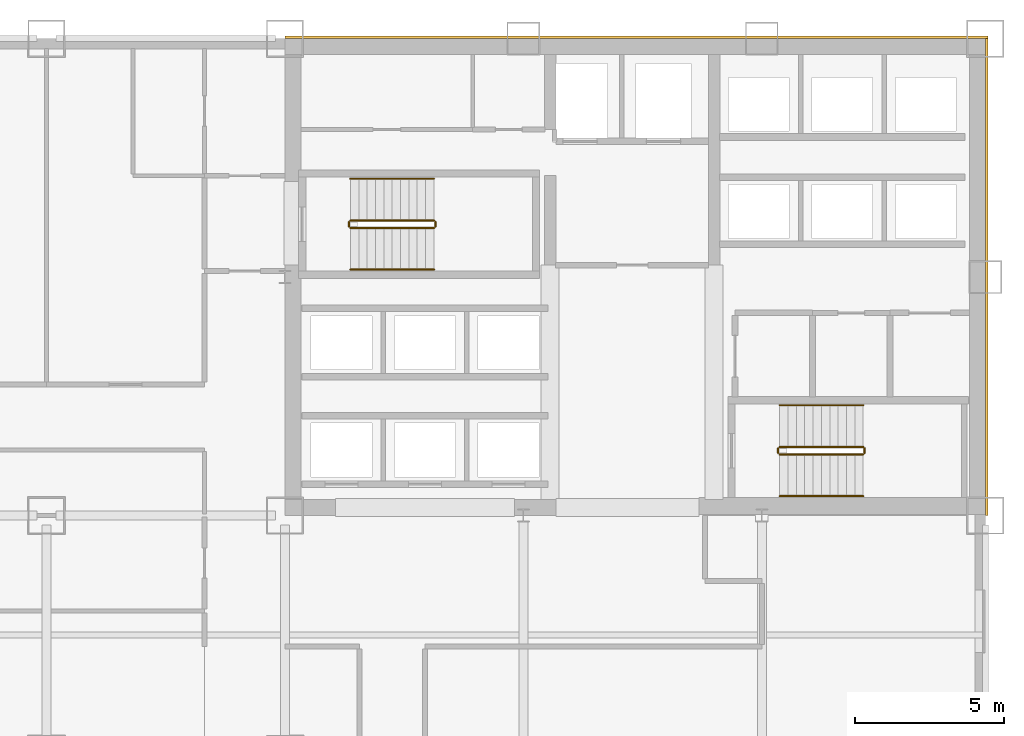
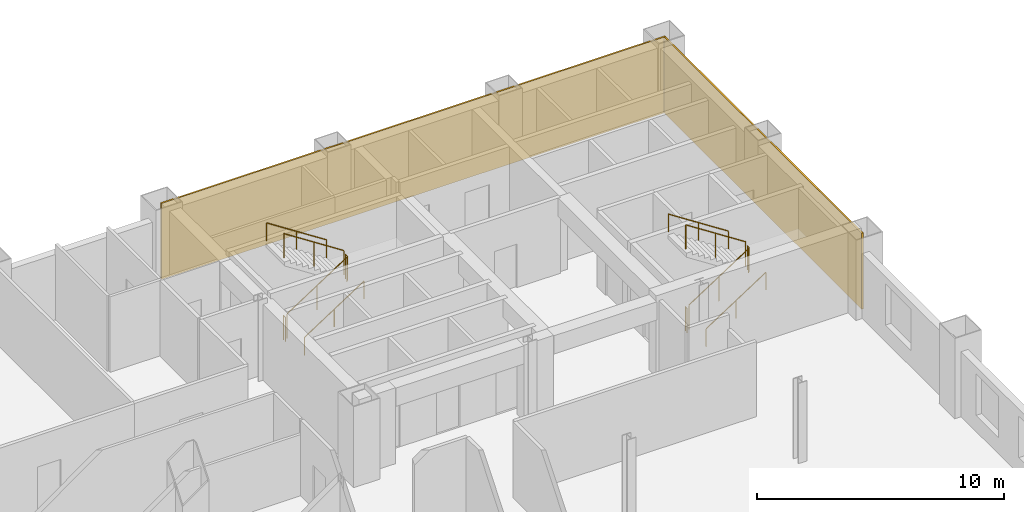
# One storey, part 9 of 9: 12 railings, 2 coverings.
"""IFC4 building model written with IfcOpenShell, lengths in metres."""

from ifc_helpers import new_model, si_unit, direction, frame, origin, origin_2d, place, context, subcontext, project, spatial, rectangle, circle, extrude, material, layer, layer_set, type_object, element, save


model = new_model("IFC4")

# Units and contexts
model_context = context("Model", 3, precision=1e-05, world=origin(), true_north=direction((0.0, 1.0)))
body_context = subcontext(model_context, "Body", "Model", "MODEL_VIEW")
ifc_project = project(units=[si_unit("LENGTHUNIT", "METRE"), si_unit("AREAUNIT", "SQUARE_METRE"), si_unit("VOLUMEUNIT", "CUBIC_METRE"), si_unit("PLANEANGLEUNIT", "RADIAN"), si_unit("MASSUNIT", "GRAM", prefix="KILO")], contexts=[model_context])

# Site, building, storey
site_placement = place(None, origin())
site = spatial("IfcSite", under=ifc_project, at=site_placement, CompositionType="ELEMENT")
building_placement = place(site_placement, origin())
building = spatial("IfcBuilding", under=site, at=building_placement, Name="Qianrong Seaharbour Tower", CompositionType="ELEMENT")
storey_placement = place(building_placement, frame((0.0, 0.0, 44.199951171875)))
storey = spatial("IfcBuildingStorey", under=building, at=storey_placement, Name="L10", CompositionType="ELEMENT", Elevation=44.199951171875)

# Coverings
ifc_material_1 = material(Name="Unitised red brick cladding on Precast concrete C45/55", Category="masonry")
ifc_layer = layer(ifc_material_1, 0.080078125)
ifc_layer_set = layer_set([ifc_layer], Name="Unitised red brick cladding on Precast concrete C45/55")
covering_type = type_object("IfcCoveringType", Name="COV-CLAD-RED-BRICK-80", PredefinedType="CLADDING", material=ifc_layer_set)
covering_1_placement = place(storey_placement, frame((52.2900390625, 52.0400390625, 0.0), z_axis=(0.0, 0.0, 1.0), x_axis=(1.0, 0.0, 0.0)))
element("IfcCovering", 1, at=covering_1_placement, inside=storey, type_object=covering_type, Name="L10 North Core Brick Veneer Cladding", PredefinedType="CLADDING", context=body_context, shape_type="SweptSolid", body=[
    extrude(rectangle(XDim=23.580078125, YDim=0.080078125, at=origin_2d()), origin(), (0.0, 0.0, 1.0), 3.75),
])
covering_2_placement = place(storey_placement, frame((64.0400390625, 44.0, 0.0), z_axis=(0.0, 0.0, 1.0), x_axis=(1.0, 0.0, 0.0)))
element("IfcCovering", 2, at=covering_2_placement, inside=storey, type_object=covering_type, Name="L10 East Core Brick Veneer Cladding", PredefinedType="CLADDING", context=body_context, shape_type="SweptSolid", body=[
    extrude(rectangle(XDim=0.080078125, YDim=16.0, at=origin_2d()), origin(), (0.0, 0.0, 1.0), 3.75),
])

# Railings
ifc_material_2 = material(Name="Galvanized painted steel SN400B stair guard", Category="steel")
railing_type_1 = type_object("IfcRailingType", Name="RAIL-STAIR-GUARD-1220", PredefinedType="GUARDRAIL", material=ifc_material_2)
railing_1_placement = place(storey_placement, frame((42.699951171875, 45.64990234375, 0.181884765625)))
element("IfcRailing", 3, at=railing_1_placement, inside=storey, type_object=railing_type_1, Name="L10 ST-1 stair guard 1", PredefinedType="GUARDRAIL", context=body_context, shape_type="SweptSolid", body=[
    extrude(circle(Radius=0.02392578125, at=origin_2d()), frame((0.0, 0.0, 1.19580078125), z_axis=(0.838705829183, 0.0, 0.544584733623), x_axis=(0.0, 1.0, 0.0)), (0.0, 0.0, 1.0), 3.338623046875),
    extrude(circle(Radius=0.02099609375, at=origin_2d()), origin(), (0.0, 0.0, 1.0), 1.171875),
    extrude(circle(Radius=0.02099609375, at=origin_2d()), frame((1.39990234375, 0.0, 0.9091796875)), (0.0, 0.0, 1.0), 1.171875),
    extrude(circle(Radius=0.02099609375, at=origin_2d()), frame((2.800048828125, 0.0, 1.818115234375)), (0.0, 0.0, 1.0), 1.171875),
])
railing_2_placement = place(storey_placement, frame((45.550048828125, 45.699951171875, 2.0)))
element("IfcRailing", 4, at=railing_2_placement, inside=storey, type_object=railing_type_1, Name="L10 ST-1 stair guard 2", PredefinedType="GUARDRAIL", context=body_context, shape_type="SweptSolid", body=[
    extrude(circle(Radius=0.02392578125, at=origin_2d()), frame((0.0, 0.0, 1.19580078125), z_axis=(0.0, 1.0, 0.0), x_axis=(-1.0, 0.0, 0.0)), (0.0, 0.0, 1.0), 0.150146484375),
    extrude(circle(Radius=0.02099609375, at=origin_2d()), origin(), (0.0, 0.0, 1.0), 1.171875),
    extrude(circle(Radius=0.02099609375, at=origin_2d()), frame((0.0, 0.150146484375, 0.0)), (0.0, 0.0, 1.0), 1.171875),
])
railing_3_placement = place(storey_placement, frame((45.5, 45.89990234375, 2.181884765625)))
element("IfcRailing", 5, at=railing_3_placement, inside=storey, type_object=railing_type_1, Name="L10 ST-1 stair guard 3", PredefinedType="GUARDRAIL", context=body_context, shape_type="SweptSolid", body=[
    extrude(circle(Radius=0.02392578125, at=origin_2d()), frame((0.0, 0.0, 1.19580078125), z_axis=(-0.838705829183, 0.0, 0.544584733623), x_axis=(0.0, -1.0, 0.0)), (0.0, 0.0, 1.0), 3.338623046875),
    extrude(circle(Radius=0.02099609375, at=origin_2d()), origin(), (0.0, 0.0, 1.0), 1.171875),
    extrude(circle(Radius=0.02099609375, at=origin_2d()), frame((-1.39990234375, 0.0, 0.9091796875)), (0.0, 0.0, 1.0), 1.171875),
    extrude(circle(Radius=0.02099609375, at=origin_2d()), frame((-2.800048828125, 0.0, 1.818115234375)), (0.0, 0.0, 1.0), 1.171875),
])
railing_4_placement = place(storey_placement, frame((42.64990234375, 45.699951171875, 0.0)))
element("IfcRailing", 6, at=railing_4_placement, inside=storey, type_object=railing_type_1, Name="L10 ST-1 stair guard 4", PredefinedType="GUARDRAIL", context=body_context, shape_type="SweptSolid", body=[
    extrude(circle(Radius=0.02392578125, at=origin_2d()), frame((0.0, 0.0, 1.19580078125), z_axis=(0.0, 1.0, 0.0), x_axis=(-1.0, 0.0, 0.0)), (0.0, 0.0, 1.0), 0.150146484375),
    extrude(circle(Radius=0.02099609375, at=origin_2d()), origin(), (0.0, 0.0, 1.0), 1.171875),
    extrude(circle(Radius=0.02099609375, at=origin_2d()), frame((0.0, 0.150146484375, 0.0)), (0.0, 0.0, 1.0), 1.171875),
])
railing_5_placement = place(storey_placement, frame((57.10009765625, 38.050048828125, 0.181884765625)))
element("IfcRailing", 7, at=railing_5_placement, inside=storey, type_object=railing_type_1, Name="L10 ST-2 stair guard 1", PredefinedType="GUARDRAIL", context=body_context, shape_type="SweptSolid", body=[
    extrude(circle(Radius=0.02392578125, at=origin_2d()), frame((0.0, 0.0, 1.19580078125), z_axis=(0.83868413941, 0.0, 0.544618136222), x_axis=(0.0, 1.0, 0.0)), (0.0, 0.0, 1.0), 3.33837890625),
    extrude(circle(Radius=0.02099609375, at=origin_2d()), origin(), (0.0, 0.0, 1.0), 1.171875),
    extrude(circle(Radius=0.02099609375, at=origin_2d()), frame((1.39990234375, 0.0, 0.9091796875)), (0.0, 0.0, 1.0), 1.171875),
    extrude(circle(Radius=0.02099609375, at=origin_2d()), frame((2.7998046875, 0.0, 1.818115234375)), (0.0, 0.0, 1.0), 1.171875),
])
railing_6_placement = place(storey_placement, frame((59.949951171875, 38.10009765625, 2.0)))
element("IfcRailing", 8, at=railing_6_placement, inside=storey, type_object=railing_type_1, Name="L10 ST-2 stair guard 2", PredefinedType="GUARDRAIL", context=body_context, shape_type="SweptSolid", body=[
    extrude(circle(Radius=0.02392578125, at=origin_2d()), frame((0.0, 0.0, 1.19580078125), z_axis=(0.0, 1.0, 0.0), x_axis=(-1.0, 0.0, 0.0)), (0.0, 0.0, 1.0), 0.14990234375),
    extrude(circle(Radius=0.02099609375, at=origin_2d()), origin(), (0.0, 0.0, 1.0), 1.171875),
    extrude(circle(Radius=0.02099609375, at=origin_2d()), frame((0.0, 0.14990234375, 0.0)), (0.0, 0.0, 1.0), 1.171875),
])
railing_7_placement = place(storey_placement, frame((59.89990234375, 38.300048828125, 2.181884765625)))
element("IfcRailing", 9, at=railing_7_placement, inside=storey, type_object=railing_type_1, Name="L10 ST-2 stair guard 3", PredefinedType="GUARDRAIL", context=body_context, shape_type="SweptSolid", body=[
    extrude(circle(Radius=0.02392578125, at=origin_2d()), frame((0.0, 0.0, 1.19580078125), z_axis=(-0.83868413941, 0.0, 0.544618136222), x_axis=(0.0, -1.0, 0.0)), (0.0, 0.0, 1.0), 3.33837890625),
    extrude(circle(Radius=0.02099609375, at=origin_2d()), origin(), (0.0, 0.0, 1.0), 1.171875),
    extrude(circle(Radius=0.02099609375, at=origin_2d()), frame((-1.39990234375, 0.0, 0.9091796875)), (0.0, 0.0, 1.0), 1.171875),
    extrude(circle(Radius=0.02099609375, at=origin_2d()), frame((-2.7998046875, 0.0, 1.818115234375)), (0.0, 0.0, 1.0), 1.171875),
])
railing_8_placement = place(storey_placement, frame((57.050048828125, 38.10009765625, 0.0)))
element("IfcRailing", 10, at=railing_8_placement, inside=storey, type_object=railing_type_1, Name="L10 ST-2 stair guard 4", PredefinedType="GUARDRAIL", context=body_context, shape_type="SweptSolid", body=[
    extrude(circle(Radius=0.02392578125, at=origin_2d()), frame((0.0, 0.0, 1.19580078125), z_axis=(0.0, 1.0, 0.0), x_axis=(-1.0, 0.0, 0.0)), (0.0, 0.0, 1.0), 0.14990234375),
    extrude(circle(Radius=0.02099609375, at=origin_2d()), origin(), (0.0, 0.0, 1.0), 1.171875),
    extrude(circle(Radius=0.02099609375, at=origin_2d()), frame((0.0, 0.14990234375, 0.0)), (0.0, 0.0, 1.0), 1.171875),
])
ifc_material_3 = material(Name="Stainless steel SUS316L continuous handrail", Category="steel")
railing_type_2 = type_object("IfcRailingType", Name="RAIL-STAIR-HANDRAIL-900", PredefinedType="HANDRAIL", material=ifc_material_3)
railing_9_placement = place(storey_placement, frame((42.699951171875, 44.25, 0.181884765625)))
element("IfcRailing", 11, at=railing_9_placement, inside=storey, type_object=railing_type_2, Name="L10 ST-1 stair handrail 1", PredefinedType="HANDRAIL", context=body_context, shape_type="SweptSolid", body=[
    extrude(circle(Radius=0.02392578125, at=origin_2d()), frame((0.0, 0.0, 0.8759765625), z_axis=(0.838705829183, 0.0, 0.544584733623), x_axis=(0.0, 1.0, 0.0)), (0.0, 0.0, 1.0), 3.338623046875),
    extrude(circle(Radius=0.02099609375, at=origin_2d()), origin(), (0.0, 0.0, 1.0), 0.851806640625),
    extrude(circle(Radius=0.02099609375, at=origin_2d()), frame((1.39990234375, 0.0, 0.9091796875)), (0.0, 0.0, 1.0), 0.851806640625),
    extrude(circle(Radius=0.02099609375, at=origin_2d()), frame((2.800048828125, 0.0, 1.818115234375)), (0.0, 0.0, 1.0), 0.851806640625),
])
railing_10_placement = place(storey_placement, frame((45.5, 47.300048828125, 2.181884765625)))
element("IfcRailing", 12, at=railing_10_placement, inside=storey, type_object=railing_type_2, Name="L10 ST-1 stair handrail 2", PredefinedType="HANDRAIL", context=body_context, shape_type="SweptSolid", body=[
    extrude(circle(Radius=0.02392578125, at=origin_2d()), frame((0.0, 0.0, 0.8759765625), z_axis=(-0.838705829183, 0.0, 0.544584733623), x_axis=(0.0, -1.0, 0.0)), (0.0, 0.0, 1.0), 3.338623046875),
    extrude(circle(Radius=0.02099609375, at=origin_2d()), origin(), (0.0, 0.0, 1.0), 0.851806640625),
    extrude(circle(Radius=0.02099609375, at=origin_2d()), frame((-1.39990234375, 0.0, 0.9091796875)), (0.0, 0.0, 1.0), 0.851806640625),
    extrude(circle(Radius=0.02099609375, at=origin_2d()), frame((-2.800048828125, 0.0, 1.818115234375)), (0.0, 0.0, 1.0), 0.851806640625),
])
railing_11_placement = place(storey_placement, frame((57.10009765625, 36.64990234375, 0.181884765625)))
element("IfcRailing", 13, at=railing_11_placement, inside=storey, type_object=railing_type_2, Name="L10 ST-2 stair handrail 1", PredefinedType="HANDRAIL", context=body_context, shape_type="SweptSolid", body=[
    extrude(circle(Radius=0.02392578125, at=origin_2d()), frame((0.0, 0.0, 0.8759765625), z_axis=(0.83868413941, 0.0, 0.544618136222), x_axis=(0.0, 1.0, 0.0)), (0.0, 0.0, 1.0), 3.33837890625),
    extrude(circle(Radius=0.02099609375, at=origin_2d()), origin(), (0.0, 0.0, 1.0), 0.851806640625),
    extrude(circle(Radius=0.02099609375, at=origin_2d()), frame((1.39990234375, 0.0, 0.9091796875)), (0.0, 0.0, 1.0), 0.851806640625),
    extrude(circle(Radius=0.02099609375, at=origin_2d()), frame((2.7998046875, 0.0, 1.818115234375)), (0.0, 0.0, 1.0), 0.851806640625),
])
railing_12_placement = place(storey_placement, frame((59.89990234375, 39.699951171875, 2.181884765625)))
element("IfcRailing", 14, at=railing_12_placement, inside=storey, type_object=railing_type_2, Name="L10 ST-2 stair handrail 2", PredefinedType="HANDRAIL", context=body_context, shape_type="SweptSolid", body=[
    extrude(circle(Radius=0.02392578125, at=origin_2d()), frame((0.0, 0.0, 0.8759765625), z_axis=(-0.83868413941, 0.0, 0.544618136222), x_axis=(0.0, -1.0, 0.0)), (0.0, 0.0, 1.0), 3.33837890625),
    extrude(circle(Radius=0.02099609375, at=origin_2d()), origin(), (0.0, 0.0, 1.0), 0.851806640625),
    extrude(circle(Radius=0.02099609375, at=origin_2d()), frame((-1.39990234375, 0.0, 0.9091796875)), (0.0, 0.0, 1.0), 0.851806640625),
    extrude(circle(Radius=0.02099609375, at=origin_2d()), frame((-2.7998046875, 0.0, 1.818115234375)), (0.0, 0.0, 1.0), 0.851806640625),
])

save(model, "model.ifc")
